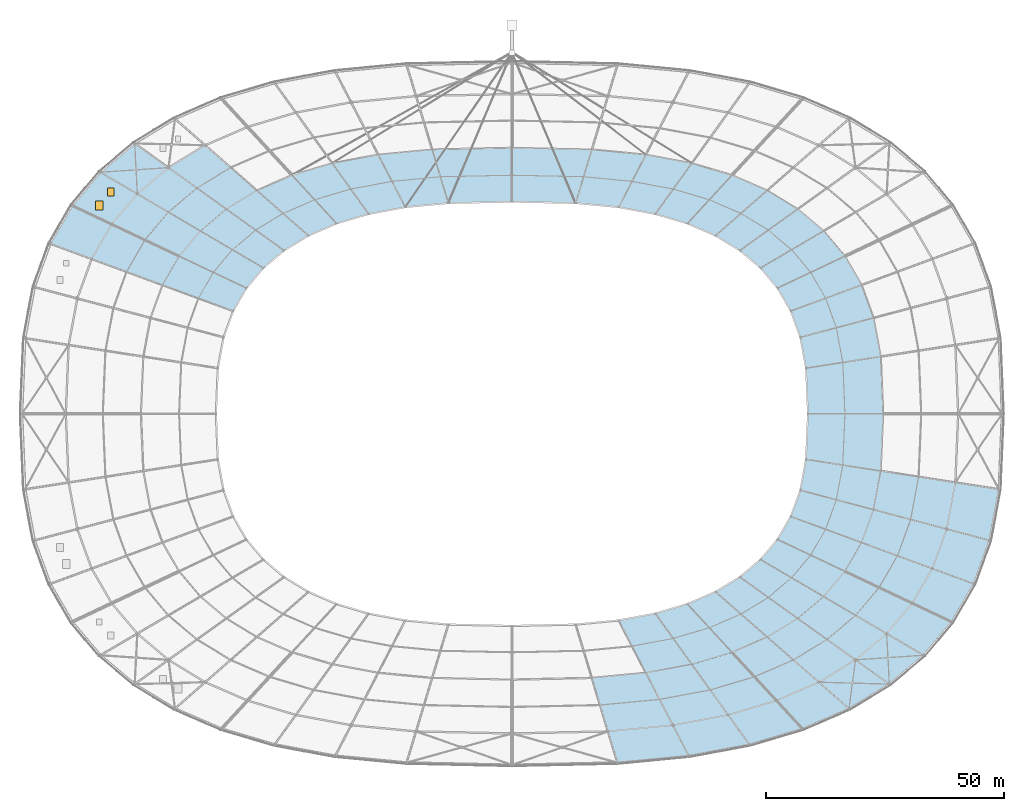
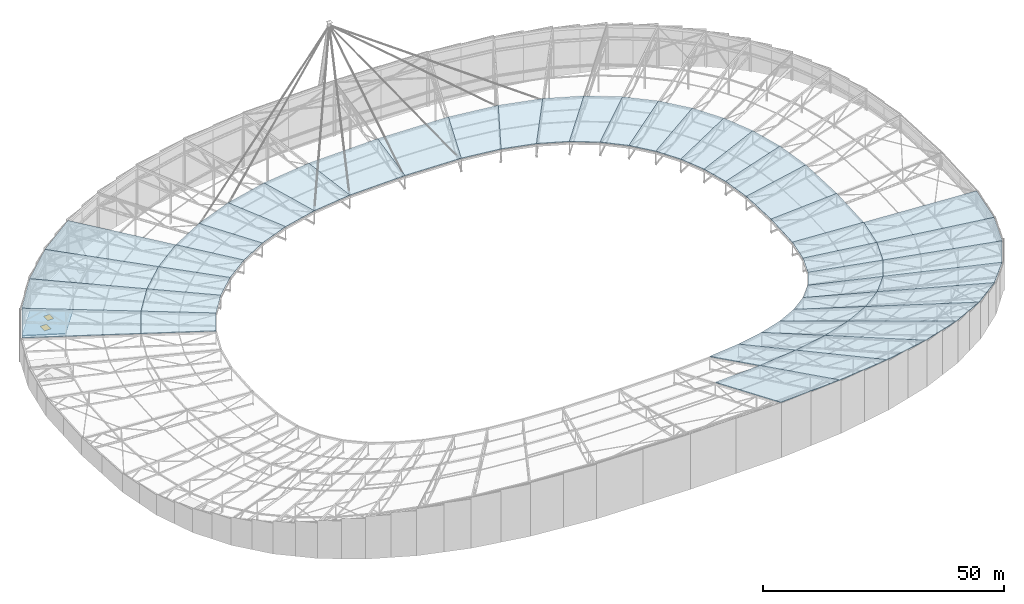
# One storey, part 105 of 143: 46 slabs, 2 windows, 2 openings, 1 element without a shape of its own.
"""IFC4 building model written with IfcOpenShell, lengths in metres."""

import ifcopenshell
import ifcopenshell.guid

model = None  # the IFC model being written
_history = None  # IfcOwnerHistory: only IFC2X3 demands one
_inside = {}  # id of a spatial element -> (the spatial element, [elements in it])
_under = {}  # id of a project, library or spatial element -> (it, [spatial elements below it])
_declared = {}  # id of a project -> (the project, [libraries it declares])
_typed = {}  # id of a type object -> (the type object, [elements of that type])
_made_of = {}  # id of a material, layer set ... -> (it, [elements and type objects made of it])


def new_model(schema):
    """Start an empty IFC model of exactly this schema.

    Asked for "IFC4X3", IfcOpenShell would pick the latest addendum, in which some entities
    have other attributes; the version numbers below select the first issue.
    IFC2X3 requires an IfcOwnerHistory on every rooted entity: one is made here for all.
    """
    global model, _history
    if schema == "IFC4X3":
        model = ifcopenshell.file(schema_version=(4, 3, 0, 0))
    else:
        model = ifcopenshell.file(schema=schema)
    _inside.clear()
    _under.clear()
    _declared.clear()
    _typed.clear()
    _made_of.clear()
    _history = None
    if model.schema == "IFC2X3":
        org = make("IfcOrganization", Name="unknown")
        user = make(
            "IfcPersonAndOrganization",
            ThePerson=make("IfcPerson", FamilyName="unknown"),
            TheOrganization=org,
        )
        app = make(
            "IfcApplication",
            ApplicationDeveloper=org,
            Version="unknown",
            ApplicationFullName="unknown",
            ApplicationIdentifier="unknown",
        )
        _history = make(
            "IfcOwnerHistory",
            OwningUser=user,
            OwningApplication=app,
            ChangeAction="ADDED",
            CreationDate=0,
        )
    return model


def make(cls, **values):
    """One entity of the class cls with the attributes given. An attribute that is None is left unset."""
    return model.create_entity(
        cls, **{name: value for name, value in values.items() if value is not None}
    )


def rooted(cls, **values):
    """An entity with a GlobalId (a new one), such as an element, a storey or a relation."""
    return make(cls, GlobalId=ifcopenshell.guid.new(), OwnerHistory=_history, **values)


def si_unit(unit_type, name, prefix=None):
    """IfcSIUnit, for example si_unit("LENGTHUNIT", "METRE", prefix="MILLI")."""
    return make("IfcSIUnit", UnitType=unit_type, Prefix=prefix, Name=name)


def assignment(units):
    """IfcUnitAssignment: the units of a project."""
    return None if units is None else make("IfcUnitAssignment", Units=units)


def point(xyz):
    """IfcCartesianPoint."""
    return None if xyz is None else make("IfcCartesianPoint", Coordinates=xyz)


def direction(xyz):
    """IfcDirection."""
    return None if xyz is None else make("IfcDirection", DirectionRatios=xyz)


def frame(location, z_axis=None, x_axis=None):
    """IfcAxis2Placement3D, a coordinate frame: its origin and axes. An axis left out is left unset."""
    return make(
        "IfcAxis2Placement3D",
        Location=point(location),
        Axis=direction(z_axis),
        RefDirection=direction(x_axis),
    )


def frame_2d(location, x_axis=None):
    """IfcAxis2Placement2D, a coordinate frame in the plane: its origin and x axis."""
    return make(
        "IfcAxis2Placement2D", Location=point(location), RefDirection=direction(x_axis)
    )


def origin():
    """The frame at (0, 0, 0) with its axes left unset."""
    return frame((0.0, 0.0, 0.0))


def origin_2d():
    """The frame at (0, 0) in the plane with its x axis left unset."""
    return frame_2d((0.0, 0.0))


def place(relative_to, where):
    """IfcLocalPlacement: puts the frame where relative to a parent placement (None: the world)."""
    return make(
        "IfcLocalPlacement", PlacementRelTo=relative_to, RelativePlacement=where
    )


def context(
    kind, dimensions, precision=None, world=None, true_north=None, identifier=None
):
    """IfcGeometricRepresentationContext, for example the 3D "Model" context."""
    return make(
        "IfcGeometricRepresentationContext",
        ContextIdentifier=identifier,
        ContextType=kind,
        CoordinateSpaceDimension=dimensions,
        Precision=precision,
        WorldCoordinateSystem=world,
        TrueNorth=true_north,
    )


def subcontext(parent, identifier, kind, view, scale=None):
    """IfcGeometricRepresentationSubContext, for example "Body" below "Model"."""
    return make(
        "IfcGeometricRepresentationSubContext",
        ContextIdentifier=identifier,
        ContextType=kind,
        ParentContext=parent,
        TargetScale=scale,
        TargetView=view,
    )


def project(units=None, contexts=None):
    """IfcProject with its units and contexts."""
    return rooted(
        "IfcProject",
        Name="project",
        RepresentationContexts=contexts,
        UnitsInContext=assignment(units),
    )


def spatial(cls, under=None, at=None, **own):
    """A site, building, storey or space (cls), placed at a placement, below another one or the project."""
    s = rooted(cls, ObjectPlacement=at, **own)
    if under is not None:
        _under.setdefault(under.id(), (under, []))[1].append(s)
    return s


def polyline(points):
    """IfcPolyline through the points."""
    return make("IfcPolyline", Points=[point(p) for p in points])


def profile(cls, at=None, kind="AREA", **sizes):
    """A parametric profile (cls). Its sizes go by their IFC names, for example OverallWidth=200.0."""
    return make(cls, ProfileType=kind, Position=at, **sizes)


def rectangle(**sizes):
    """IfcRectangleProfileDef."""
    return profile("IfcRectangleProfileDef", **sizes)


def outline(outer, holes=None, kind="AREA"):
    """IfcArbitraryClosedProfileDef: a profile drawn as a closed curve; with holes, ...WithVoids."""
    if holes is None:
        return make("IfcArbitraryClosedProfileDef", ProfileType=kind, OuterCurve=outer)
    return make(
        "IfcArbitraryProfileDefWithVoids",
        ProfileType=kind,
        OuterCurve=outer,
        InnerCurves=holes,
    )


def extrude(swept, where, along, depth):
    """IfcExtrudedAreaSolid: the profile swept, set in the frame where, extruded along a direction by depth."""
    return make(
        "IfcExtrudedAreaSolid",
        SweptArea=swept,
        Position=where,
        ExtrudedDirection=direction(along),
        Depth=depth,
    )


def shape(context_of_items, identifier, shape_type, items):
    """IfcShapeRepresentation: the items that make up one representation, for example the "Body"."""
    return make(
        "IfcShapeRepresentation",
        ContextOfItems=context_of_items,
        RepresentationIdentifier=identifier,
        RepresentationType=shape_type,
        Items=items,
    )


def material(Name=None, Category=None):
    """IfcMaterial."""
    return make("IfcMaterial", Name=Name, Category=Category)


def layer(
    of_material, thickness, ventilated=None, Name=None, Category=None, Priority=None
):
    """IfcMaterialLayer: one layer of a wall or slab, of a material (None: an air gap)."""
    return make(
        "IfcMaterialLayer",
        Material=of_material,
        LayerThickness=thickness,
        IsVentilated=ventilated,
        Name=Name,
        Category=Category,
        Priority=Priority,
    )


def layer_set(layers, Name=None):
    """IfcMaterialLayerSet."""
    return make("IfcMaterialLayerSet", MaterialLayers=layers, LayerSetName=Name)


def made_of(thing, what):
    """Note that an element or type object is made of a material, layer set ...; save() writes the relation."""
    if what is not None:
        _made_of.setdefault(what.id(), (what, []))[1].append(thing)
    return thing


def type_object(cls, material=None, **own):
    """A type object (cls), such as IfcWallType, which elements share."""
    return made_of(rooted(cls, **own), material)


def element(
    cls,
    number,
    at=None,
    inside=None,
    cuts=None,
    type_object=None,
    material=None,
    context=None,
    identifier="Body",
    shape_type=None,
    held_by="IfcProductDefinitionShape",
    body=None,
    shapes=None,
    **own,
):
    """One element of the class cls, such as IfcWall. Its Tag is "e" and its number.

    at: its placement. inside: the storey or other place that contains it. cuts: it is an
    opening in that element (IfcRelVoidsElement). A single representation is given by context,
    identifier, shape_type and body (its items); several are given by shapes. held_by: the class
    of the entity that holds the representations. save() writes the other relations.
    """
    e = rooted(cls, Tag="e%d" % number, ObjectPlacement=at, **own)
    if body is not None:
        shapes = [shape(context, identifier, shape_type, body)]
    if shapes is not None:
        e.Representation = make(held_by, Representations=shapes)
    if inside is not None:
        _inside.setdefault(inside.id(), (inside, []))[1].append(e)
    if cuts is not None:
        rooted(
            "IfcRelVoidsElement", RelatingBuildingElement=cuts, RelatedOpeningElement=e
        )
    if type_object is not None:
        _typed.setdefault(type_object.id(), (type_object, []))[1].append(e)
    return made_of(e, material)


def fill(opening, filler):
    """IfcRelFillsElement: the door or window that sits in an opening."""
    return rooted(
        "IfcRelFillsElement",
        RelatingOpeningElement=opening,
        RelatedBuildingElement=filler,
    )


def aggregate(whole, parts):
    """IfcRelAggregates: a whole, such as a stair, and the parts it consists of."""
    return rooted("IfcRelAggregates", RelatingObject=whole, RelatedObjects=parts)


def save(model, path):
    """Write the relations noted so far, then the file.

    IfcRelAggregates (storeys below a building ...), IfcRelContainedInSpatialStructure (elements
    in a storey), IfcRelDefinesByType, IfcRelAssociatesMaterial and IfcRelDeclares: one each for
    every whole, place, type object, material and project.
    """
    for whole, parts in _under.values():
        aggregate(whole, parts)
    for where, things in _inside.values():
        rooted(
            "IfcRelContainedInSpatialStructure",
            RelatedElements=things,
            RelatingStructure=where,
        )
    for kind, things in _typed.values():
        rooted("IfcRelDefinesByType", RelatedObjects=things, RelatingType=kind)
    for what, things in _made_of.values():
        rooted("IfcRelAssociatesMaterial", RelatedObjects=things, RelatingMaterial=what)
    for by, libraries in _declared.values():
        rooted("IfcRelDeclares", RelatingContext=by, RelatedDefinitions=libraries)
    model.write(path)


model = new_model("IFC4")

# Units and contexts
model_context = context("Model", 3, precision=1e-05, world=origin(), true_north=direction((0.0, 1.0)))
body_context = subcontext(model_context, "Body", "Model", "MODEL_VIEW")
ifc_project = project(units=[si_unit("LENGTHUNIT", "METRE"), si_unit("AREAUNIT", "SQUARE_METRE"), si_unit("VOLUMEUNIT", "CUBIC_METRE"), si_unit("PLANEANGLEUNIT", "RADIAN"), si_unit("MASSUNIT", "GRAM", prefix="KILO")], contexts=[model_context])

# Site, building, storey
site_placement = place(None, origin())
site = spatial("IfcSite", under=ifc_project, at=site_placement, CompositionType="ELEMENT")
building_placement = place(site_placement, origin())
building = spatial("IfcBuilding", under=site, at=building_placement, Name="Mphavela Belvedere Stadium", CompositionType="ELEMENT")
storey_placement = place(building_placement, frame((0.0, 0.0, 28.800048828125)))
storey = spatial("IfcBuildingStorey", under=building, at=storey_placement, Name="RF", CompositionType="ELEMENT", Elevation=28.800048828125)

# Roof, slabs, openings, windows
ifc_material_1 = material(Name="Translucent polycarbonate roof glazing", Category="glass")
roof_type = type_object("IfcRoofType", Name="ROOF-SADDLE-ASSY", PredefinedType="FREEFORM", material=ifc_material_1)
roof_placement = place(storey_placement, origin())
roof = element("IfcRoof", 1, at=roof_placement, inside=storey, type_object=roof_type, Name="Elliptical translucent saddle ring roof", PredefinedType="FREEFORM")
ifc_material_2 = material(Name="Translucent polycarbonate roof glazing over Steel S355 purlins", Category="steel")
ifc_layer_1 = layer(ifc_material_2, 0.179931640625)
ifc_layer_set_1 = layer_set([ifc_layer_1], Name="Translucent polycarbonate roof glazing over Steel S355 purlins")
slab_type_1 = type_object("IfcSlabType", Name="SLB-ROOF-POLY-180", PredefinedType="ROOF", material=ifc_layer_set_1)
slab_1_placement = place(storey_placement, frame((177.080078125, 87.0, 1.953857421875), z_axis=(-0.062764675151, -0.012937676198, 0.99794449349), x_axis=(-0.041914048171, 0.999067960965, 0.010316100974)))
slab_1 = element("IfcSlab", 2, at=slab_1_placement, type_object=slab_type_1, Name="Translucent saddle canopy panel 01-1", PredefinedType="ROOF", context=body_context, shape_type="SweptSolid", body=[
    extrude(outline(polyline([(0.0, 0.0), (9.575820760366003, 1.474514954580286e-17), (11.35659579406616, -15.78028620100424), (-0.6504401870094857, -15.780202079578732), (0.0, 0.0)])), origin(), (0.0, 0.0, -1.0), 0.179931640625),
])
slab_2_placement = place(storey_placement, frame((176.6787109375, 96.56689453125, 2.052734375), z_axis=(-0.056160153511, -0.055037355371, 0.996903669705), x_axis=(-0.182445224268, 0.982233264484, 0.04394945145)))
slab_2 = element("IfcSlab", 3, at=slab_2_placement, type_object=slab_type_1, Name="Translucent saddle canopy panel 02-1", PredefinedType="ROOF", context=body_context, shape_type="SweptSolid", body=[
    extrude(outline(polyline([(0.0, 0.0), (6.587747150970945, -2.2898349882893854e-16), (7.8340280048033035, -15.874769645101628), (-0.4267409768472721, -15.874712106141374), (0.0, 0.0)])), origin(), (0.0, 0.0, -1.0), 0.179931640625),
])
slab_3_placement = place(storey_placement, frame((175.476806640625, 103.03759765625, 2.34228515625), z_axis=(-0.044251671248, -0.099185327266, 0.994084533854), x_axis=(-0.340014874302, 0.937148983878, 0.078368790151)))
slab_3 = element("IfcSlab", 4, at=slab_3_placement, type_object=slab_type_1, Name="Translucent saddle canopy panel 03-1", PredefinedType="ROOF", context=body_context, shape_type="SweptSolid", body=[
    extrude(outline(polyline([(0.0, 0.0), (5.875635604742094, -4.163336342344337e-17), (6.047943325037904, -15.868980489131248), (-1.3193584481840013, -15.868863240229345), (0.0, 0.0)])), origin(), (0.0, 0.0, -1.0), 0.179931640625),
])
slab_4_placement = place(storey_placement, frame((173.47900390625, 108.5439453125, 2.802734375), z_axis=(-0.028856356997, -0.140011464477, 0.989729306667), x_axis=(-0.497643603936, 0.860725094897, 0.107252759761)))
slab_4 = element("IfcSlab", 5, at=slab_4_placement, type_object=slab_type_1, Name="Translucent saddle canopy panel 04-1", PredefinedType="ROOF", context=body_context, shape_type="SweptSolid", body=[
    extrude(outline(polyline([(0.0, 0.0), (5.597177419716359, -3.191891195797325e-16), (4.466977256564428, -15.663177329598065), (-2.5514232128908825, -15.66347570953079), (0.0, 0.0)])), origin(), (0.0, 0.0, -1.0), 0.179931640625),
])
slab_5_placement = place(storey_placement, frame((170.693603515625, 113.361572265625, 3.403076171875), z_axis=(-0.01248372931, -0.173586581679, 0.984739485937), x_axis=(-0.640050593365, 0.758012862614, 0.125505928322)))
slab_5 = element("IfcSlab", 6, at=slab_5_placement, type_object=slab_type_1, Name="Translucent saddle canopy panel 05-1", PredefinedType="ROOF", context=body_context, shape_type="SweptSolid", body=[
    extrude(outline(polyline([(0.0, 0.0), (5.5693995622166765, -4.579669976578771e-16), (3.176877248511535, -15.235333381364018), (-3.806640203589297, -15.235549442936666), (0.0, 0.0)])), origin(), (0.0, 0.0, -1.0), 0.179931640625),
])
slab_6_placement = place(storey_placement, frame((167.12890625, 117.583251953125, 4.10205078125), z_axis=(0.002394607997, -0.198045350783, 0.980189933067), x_axis=(-0.757688922825, 0.639327555468, 0.131025848775)))
slab_6 = element("IfcSlab", 7, at=slab_6_placement, type_object=slab_type_1, Name="Translucent saddle canopy panel 06-1", PredefinedType="ROOF", context=body_context, shape_type="SweptSolid", body=[
    extrude(outline(polyline([(0.0, 0.0), (5.723871621439102, -4.163336342344337e-17), (2.3144670479512737, -14.635809658616868), (-4.862661291927836, -14.635370559796606), (0.0, 0.0)])), origin(), (0.0, 0.0, -1.0), 0.179931640625),
])
slab_7_placement = place(storey_placement, frame((162.7919921875, 121.24267578125, 4.85205078125), z_axis=(0.013740312846, -0.213238533202, 0.976903542711), x_axis=(-0.84766135319, 0.515724040128, 0.124494757892)))
slab_7 = element("IfcSlab", 8, at=slab_7_placement, type_object=slab_type_1, Name="Translucent saddle canopy panel 07-1", PredefinedType="ROOF", context=body_context, shape_type="SweptSolid", body=[
    extrude(outline(polyline([(0.0, 0.0), (6.025307370049517, 5.273559366969494e-16), (1.9680095544132774, -13.950294664328501), (-5.587159116346965, -13.950434290851417), (0.0, 0.0)])), origin(), (0.0, 0.0, -1.0), 0.179931640625),
])
slab_8_placement = place(storey_placement, frame((157.6845703125, 124.35009765625, 5.60205078125), z_axis=(0.020196931309, -0.220292333767, 0.975224780063), x_axis=(-0.912114152601, 0.39539762111, 0.108205793951)))
slab_8 = element("IfcSlab", 9, at=slab_8_placement, type_object=slab_type_1, Name="Translucent saddle canopy panel 08-1", PredefinedType="ROOF", context=body_context, shape_type="SweptSolid", body=[
    extrude(outline(polyline([(0.0, 0.0), (6.459815932377828, -3.0531133177191805e-16), (2.171849004796829, -13.263729987729116), (-5.928171327242288, -13.263829443862422), (0.0, 0.0)])), origin(), (0.0, 0.0, -1.0), 0.179931640625),
])
slab_9_placement = place(storey_placement, frame((151.79248046875, 126.904296875, 6.301025390625), z_axis=(0.021347652741, -0.221285385069, 0.974975413063), x_axis=(-0.955175991041, 0.283495912076, 0.085257808883)))
slab_9 = element("IfcSlab", 10, at=slab_9_placement, type_object=slab_type_1, Name="Translucent saddle canopy panel 09-1", PredefinedType="ROOF", context=body_context, shape_type="SweptSolid", body=[
    extrude(outline(polyline([(0.0, 0.0), (7.0394156510267685, -1.8041124150158794e-16), (2.9547943315536935, -12.642734798207673), (-5.87209259136367, -12.64245712372692), (0.0, 0.0)])), origin(), (0.0, 0.0, -1.0), 0.179931640625),
])
slab_10_placement = place(storey_placement, frame((145.068603515625, 128.89990234375, 6.9013671875), z_axis=(0.017716384697, -0.218808731373, 0.975606923299), x_axis=(-0.981391537632, 0.182787366369, 0.058816907092)))
slab_10 = element("IfcSlab", 11, at=slab_10_placement, type_object=slab_type_1, Name="Translucent saddle canopy panel 10-1", PredefinedType="ROOF", context=body_context, shape_type="SweptSolid", body=[
    extrude(outline(polyline([(0.0, 0.0), (7.830774862642115, -1.1102230246251565e-16), (4.403319004744994, -12.132280217011811), (-5.415615253726579, -12.132352860810734), (0.0, 0.0)])), origin(), (0.0, 0.0, -1.0), 0.179931640625),
])
slab_11_placement = place(storey_placement, frame((137.383544921875, 130.331298828125, 7.36181640625), z_axis=(0.010765096078, -0.21541214484, 0.976463885949), x_axis=(-0.994978821877, 0.094866801566, 0.031897240912)))
slab_11 = element("IfcSlab", 12, at=slab_11_placement, type_object=slab_type_1, Name="Translucent saddle canopy panel 11-1", PredefinedType="ROOF", context=body_context, shape_type="SweptSolid", body=[
    extrude(outline(polyline([(0.0, 0.0), (9.076826639575708, 7.632783294297951e-17), (6.845972878327858, -11.763067748871228), (-4.535648145428523, -11.762974659526115), (0.0, 0.0)])), origin(), (0.0, 0.0, -1.0), 0.179931640625),
])
slab_12_placement = place(storey_placement, frame((128.352294921875, 131.1923828125, 7.6513671875), z_axis=(0.002641050569, -0.213073375177, 0.977032630797), x_axis=(-0.999740726045, 0.021534605529, 0.007398746643)))
slab_12 = element("IfcSlab", 13, at=slab_12_placement, type_object=slab_type_1, Name="Translucent saddle canopy panel 12-1", PredefinedType="ROOF", context=body_context, shape_type="SweptSolid", body=[
    extrude(outline(polyline([(0.0, 0.0), (13.35575788716462, 6.591949208711867e-17), (13.617185590609553, -11.556174624082413), (-3.1295810139537408, -11.55647844468452), (0.0, 0.0)])), origin(), (0.0, 0.0, -1.0), 0.179931640625),
])
slab_13_placement = place(storey_placement, frame((115.0, 131.47998046875, 7.750244140625), z_axis=(-0.002641050569, -0.213073375177, 0.977032630797), x_axis=(-0.999740726045, -0.021534605529, -0.007398746643)))
slab_13 = element("IfcSlab", 14, at=slab_13_placement, type_object=slab_type_1, Name="Translucent saddle canopy panel 13-1", PredefinedType="ROOF", context=body_context, shape_type="SweptSolid", body=[
    extrude(outline(polyline([(0.0, 0.0), (13.35575788716462, -6.591949208711867e-17), (16.48533890111836, -11.55647844468452), (-0.26142770344493577, -11.556174624082415), (0.0, 0.0)])), origin(), (0.0, 0.0, -1.0), 0.179931640625),
])
slab_14_placement = place(storey_placement, frame((101.647705078125, 131.1923828125, 7.6513671875), z_axis=(-0.010765096078, -0.21541214484, 0.976463885949), x_axis=(-0.994978821877, -0.094866801566, -0.031897240912)))
slab_14 = element("IfcSlab", 15, at=slab_14_placement, type_object=slab_type_1, Name="Translucent saddle canopy panel 14-1", PredefinedType="ROOF", context=body_context, shape_type="SweptSolid", body=[
    extrude(outline(polyline([(0.0, 0.0), (9.076826639575708, -7.632783294297951e-17), (13.61247478500423, -11.762974659526117), (2.230853761247848, -11.763067748871228), (0.0, 0.0)])), origin(), (0.0, 0.0, -1.0), 0.179931640625),
])
slab_15_placement = place(storey_placement, frame((92.616455078125, 130.331298828125, 7.36181640625), z_axis=(-0.017716384697, -0.218808731373, 0.975606923299), x_axis=(-0.981391537632, -0.182787366369, -0.058816907092)))
slab_15 = element("IfcSlab", 16, at=slab_15_placement, type_object=slab_type_1, Name="Translucent saddle canopy panel 15-1", PredefinedType="ROOF", context=body_context, shape_type="SweptSolid", body=[
    extrude(outline(polyline([(0.0, 0.0), (7.830774862642115, 1.1102230246251565e-16), (13.246390116368696, -12.132352860810734), (3.4274558578971215, -12.132280217011813), (0.0, 0.0)])), origin(), (0.0, 0.0, -1.0), 0.179931640625),
])
slab_16_placement = place(storey_placement, frame((84.931396484375, 128.89990234375, 6.9013671875), z_axis=(-0.021347652741, -0.221285385069, 0.974975413063), x_axis=(-0.955175991041, -0.283495912076, -0.085257808883)))
slab_16 = element("IfcSlab", 17, at=slab_16_placement, type_object=slab_type_1, Name="Translucent saddle canopy panel 16-1", PredefinedType="ROOF", context=body_context, shape_type="SweptSolid", body=[
    extrude(outline(polyline([(0.0, 0.0), (7.0394156510267685, 1.8041124150158794e-16), (12.91150824239044, -12.64245712372692), (4.084621319473074, -12.642734798207675), (0.0, 0.0)])), origin(), (0.0, 0.0, -1.0), 0.179931640625),
])
slab_17_placement = place(storey_placement, frame((78.20751953125, 126.904296875, 6.301025390625), z_axis=(-0.020196931309, -0.220292333767, 0.975224780063), x_axis=(-0.912114152601, -0.39539762111, -0.108205793951)))
slab_17 = element("IfcSlab", 18, at=slab_17_placement, type_object=slab_type_1, Name="Translucent saddle canopy panel 17-1", PredefinedType="ROOF", context=body_context, shape_type="SweptSolid", body=[
    extrude(outline(polyline([(0.0, 0.0), (6.459815932377828, 3.0531133177191805e-16), (12.387987259620118, -13.26382944386242), (4.287966927581, -13.263729987729118), (0.0, 0.0)])), origin(), (0.0, 0.0, -1.0), 0.179931640625),
])
slab_18_placement = place(storey_placement, frame((72.3154296875, 124.35009765625, 5.60205078125), z_axis=(-0.013740312846, -0.213238533202, 0.976903542711), x_axis=(-0.84766135319, -0.515724040128, -0.124494757892)))
slab_18 = element("IfcSlab", 19, at=slab_18_placement, type_object=slab_type_1, Name="Translucent saddle canopy panel 18-1", PredefinedType="ROOF", context=body_context, shape_type="SweptSolid", body=[
    extrude(outline(polyline([(0.0, 0.0), (6.025307370049517, -5.273559366969494e-16), (11.612466486396483, -13.950434290851417), (4.0572978156362405, -13.950294664328503), (0.0, 0.0)])), origin(), (0.0, 0.0, -1.0), 0.179931640625),
])
slab_19_placement = place(storey_placement, frame((61.4775390625, 133.83349609375, 7.519775390625), z_axis=(-0.013750776942, -0.213248287485, 0.976901266259), x_axis=(-0.847670959605, -0.51570568008, -0.1245054046)))
slab_19 = element("IfcSlab", 20, at=slab_19_placement, type_object=slab_type_1, Name="Translucent saddle canopy panel 18-2", PredefinedType="ROOF", context=body_context, shape_type="SweptSolid", body=[
    extrude(outline(polyline([(0.0, 0.0), (7.555168673020906, 3.608224830031759e-16), (16.409027053297674, -22.105649928312097), (6.429749925907818, -22.105489857060974), (0.0, 0.0)])), origin(), (0.0, 0.0, -1.0), 0.179931640625),
])
slab_20_placement = place(storey_placement, frame((67.2080078125, 121.24267578125, 4.85205078125), z_axis=(-0.002394607997, -0.198045350783, 0.980189933067), x_axis=(-0.757688922825, -0.639327555468, -0.131025848775)))
slab_20 = element("IfcSlab", 21, at=slab_20_placement, type_object=slab_type_1, Name="Translucent saddle canopy panel 19-1", PredefinedType="ROOF", context=body_context, shape_type="SweptSolid", body=[
    extrude(outline(polyline([(0.0, 0.0), (5.723871621439102, 4.163336342344337e-17), (10.586532913366938, -14.635370559796606), (3.4094045734878287, -14.63580965861687), (0.0, 0.0)])), origin(), (0.0, 0.0, -1.0), 0.179931640625),
])
slab_21_placement = place(storey_placement, frame((55.0732421875, 129.937255859375, 6.5791015625), z_axis=(-0.002392054769, -0.198047747663, 0.980189455013), x_axis=(-0.757648995264, -0.639373077979, -0.131034602797)))
slab_21 = element("IfcSlab", 22, at=slab_21_placement, type_object=slab_type_1, Name="Translucent saddle canopy panel 19-2", PredefinedType="ROOF", context=body_context, shape_type="SweptSolid", body=[
    extrude(outline(polyline([(0.0, 0.0), (7.177128353319401, 1.1657341758564144e-15), (14.88129010369906, -23.192590789533337), (5.401170186067652, -23.192195402589856), (0.0, 0.0)])), origin(), (0.0, 0.0, -1.0), 0.179931640625),
])
slab_22_placement = place(storey_placement, frame((62.87109375, 117.583251953125, 4.10205078125), z_axis=(0.01248372931, -0.173586581679, 0.984739485937), x_axis=(-0.640050593365, -0.758012862614, -0.125505928322)))
slab_22 = element("IfcSlab", 23, at=slab_22_placement, type_object=slab_type_1, Name="Translucent saddle canopy panel 20-1", PredefinedType="ROOF", context=body_context, shape_type="SweptSolid", body=[
    extrude(outline(polyline([(0.0, 0.0), (5.5693995622166765, 4.579669976578771e-16), (9.376039765805974, -15.235549442936666), (2.392522313705142, -15.23533338136402), (0.0, 0.0)])), origin(), (0.0, 0.0, -1.0), 0.179931640625),
])
slab_23_placement = place(storey_placement, frame((49.635498046875, 125.348388671875, 5.638671875), z_axis=(0.012483112725, -0.173591051891, 0.984738705749), x_axis=(-0.640074409653, -0.757992736839, -0.125506019804)))
slab_23 = element("IfcSlab", 24, at=slab_23_placement, type_object=slab_type_1, Name="Translucent saddle canopy panel 20-2", PredefinedType="ROOF", context=body_context, shape_type="SweptSolid", body=[
    extrude(outline(polyline([(0.0, 0.0), (6.98351745546173, -1.0269562977782698e-15), (13.016169062510098, -24.142586709938037), (3.7919935290934816, -24.142724802360682), (0.0, 0.0)])), origin(), (0.0, 0.0, -1.0), 0.179931640625),
])
slab_24_placement = place(storey_placement, frame((59.306396484375, 113.361572265625, 3.403076171875), z_axis=(0.028856356997, -0.140011464477, 0.989729306667), x_axis=(-0.497643603936, -0.860725094897, -0.107252759761)))
slab_24 = element("IfcSlab", 25, at=slab_24_placement, type_object=slab_type_1, Name="Translucent saddle canopy panel 21-1", PredefinedType="ROOF", context=body_context, shape_type="SweptSolid", body=[
    extrude(outline(polyline([(0.0, 0.0), (5.597177419716359, 3.191891195797325e-16), (8.148600632607241, -15.663475709530788), (1.1302001631519305, -15.663177329598065), (0.0, 0.0)])), origin(), (0.0, 0.0, -1.0), 0.179931640625),
])
slab_25_placement = place(storey_placement, frame((45.16552734375, 120.054931640625, 4.76220703125), z_axis=(0.028862152723, -0.140004301385, 0.989730150967), x_axis=(-0.49768019511, -0.860705565907, -0.107239695134)))
slab_25 = element("IfcSlab", 26, at=slab_25_placement, type_object=slab_type_1, Name="Translucent saddle canopy panel 21-2", PredefinedType="ROOF", context=body_context, shape_type="SweptSolid", body=[
    extrude(outline(polyline([(0.0, 0.0), (7.018400475773272, -3.0531133177191805e-16), (11.062363237996466, -24.820278195535746), (1.7917869742502843, -24.820291656156545), (0.0, 0.0)])), origin(), (0.0, 0.0, -1.0), 0.179931640625),
])
slab_26_placement = place(storey_placement, frame((131.742431640625, 31.586669921875, 10.08935546875), z_axis=(0.010760990642, 0.215402374624, 0.976466086501), x_axis=(0.994978062697, 0.094875845376, -0.031894023194)))
slab_26 = element("IfcSlab", 27, at=slab_26_placement, type_object=slab_type_1, Name="Translucent saddle canopy panel 38-2", PredefinedType="ROOF", context=body_context, shape_type="SweptSolid", body=[
    extrude(outline(polyline([(0.0, 0.0), (11.381621024120491, -2.7755575615628914e-17), (18.568709855756293, -18.63938941384328), (3.534942680590222, -18.639559564023244), (0.0, 0.0)])), origin(), (0.0, 0.0, -1.0), 0.179931640625),
])
slab_27_placement = place(storey_placement, frame((137.383544921875, 43.668701171875, 7.36181640625), z_axis=(0.017716384697, 0.218808731373, 0.975606923299), x_axis=(0.981391537632, 0.182787366369, -0.058816907092)))
slab_27 = element("IfcSlab", 28, at=slab_27_placement, type_object=slab_type_1, Name="Translucent saddle canopy panel 39-1", PredefinedType="ROOF", context=body_context, shape_type="SweptSolid", body=[
    extrude(outline(polyline([(0.0, 0.0), (7.830774862642115, 1.1102230246251565e-16), (13.246390116368696, -12.132352860810734), (3.4274558578971215, -12.132280217011813), (0.0, 0.0)])), origin(), (0.0, 0.0, -1.0), 0.179931640625),
])
slab_28_placement = place(storey_placement, frame((143.06689453125, 32.66650390625, 9.726318359375), z_axis=(0.017728133813, 0.218818356617, 0.975604551075), x_axis=(0.981392714147, 0.18277733663, -0.058828444091)))
slab_28 = element("IfcSlab", 29, at=slab_28_placement, type_object=slab_type_1, Name="Translucent saddle canopy panel 39-2", PredefinedType="ROOF", context=body_context, shape_type="SweptSolid", body=[
    extrude(outline(polyline([(0.0, 0.0), (9.81893425968205, 2.498001805406602e-16), (18.40117209444884, -19.224733323874474), (5.431368726802666, -19.224497843877355), (0.0, 0.0)])), origin(), (0.0, 0.0, -1.0), 0.179931640625),
])
slab_29_placement = place(storey_placement, frame((145.068603515625, 45.10009765625, 6.9013671875), z_axis=(0.021347652741, 0.221285385069, 0.974975413063), x_axis=(0.955175991041, 0.283495912076, -0.085257808883)))
slab_29 = element("IfcSlab", 30, at=slab_29_placement, type_object=slab_type_1, Name="Translucent saddle canopy panel 40-1", PredefinedType="ROOF", context=body_context, shape_type="SweptSolid", body=[
    extrude(outline(polyline([(0.0, 0.0), (7.0394156510267685, 1.8041124150158794e-16), (12.91150824239044, -12.64245712372692), (4.084621319473074, -12.642734798207675), (0.0, 0.0)])), origin(), (0.0, 0.0, -1.0), 0.179931640625),
])
slab_30_placement = place(storey_placement, frame((152.703125, 34.461181640625, 9.148681640625), z_axis=(0.021332302102, 0.221271990629, 0.974978789026), x_axis=(0.955167102142, 0.283529413605, -0.085245988801)))
slab_30 = element("IfcSlab", 31, at=slab_30_placement, type_object=slab_type_1, Name="Translucent saddle canopy panel 40-2", PredefinedType="ROOF", context=body_context, shape_type="SweptSolid", body=[
    extrude(outline(polyline([(0.0, 0.0), (8.826886929130305, 1.1102230246251565e-16), (18.131321943310617, -20.033791260952036), (6.472382275898273, -20.033807558749324), (0.0, 0.0)])), origin(), (0.0, 0.0, -1.0), 0.179931640625),
])
slab_31_placement = place(storey_placement, frame((151.79248046875, 47.095703125, 6.301025390625), z_axis=(0.020196931309, 0.220292333767, 0.975224780063), x_axis=(0.912114152601, 0.39539762111, -0.108205793951)))
slab_31 = element("IfcSlab", 32, at=slab_31_placement, type_object=slab_type_1, Name="Translucent saddle canopy panel 41-1", PredefinedType="ROOF", context=body_context, shape_type="SweptSolid", body=[
    extrude(outline(polyline([(0.0, 0.0), (6.459815932377828, 3.0531133177191805e-16), (12.387987259620118, -13.26382944386242), (4.287966927581, -13.263729987729118), (0.0, 0.0)])), origin(), (0.0, 0.0, -1.0), 0.179931640625),
])
slab_32_placement = place(storey_placement, frame((161.13427734375, 36.9638671875, 8.396240234375), z_axis=(0.020202543556, 0.220281385412, 0.975227136863), x_axis=(0.912119169022, 0.395386554404, -0.108203946782)))
slab_32 = element("IfcSlab", 33, at=slab_32_placement, type_object=slab_type_1, Name="Translucent saddle canopy panel 41-2", PredefinedType="ROOF", context=body_context, shape_type="SweptSolid", body=[
    extrude(outline(polyline([(0.0, 0.0), (8.100020332656722, 2.220446049250313e-16), (17.494202780749614, -21.017699732900855), (6.795084432483262, -21.017900246600583), (0.0, 0.0)])), origin(), (0.0, 0.0, -1.0), 0.179931640625),
])
slab_33_placement = place(storey_placement, frame((157.6845703125, 49.64990234375, 5.60205078125), z_axis=(0.013740312846, 0.213238533202, 0.976903542711), x_axis=(0.84766135319, 0.515724040128, -0.124494757892)))
slab_33 = element("IfcSlab", 34, at=slab_33_placement, type_object=slab_type_1, Name="Translucent saddle canopy panel 42-1", PredefinedType="ROOF", context=body_context, shape_type="SweptSolid", body=[
    extrude(outline(polyline([(0.0, 0.0), (6.025307370049517, -5.273559366969494e-16), (11.612466486396483, -13.950434290851417), (4.0572978156362405, -13.950294664328503), (0.0, 0.0)])), origin(), (0.0, 0.0, -1.0), 0.179931640625),
])
slab_34_placement = place(storey_placement, frame((168.5224609375, 40.16650390625, 7.519775390625), z_axis=(0.013750776942, 0.213248287485, 0.976901266259), x_axis=(0.847670959605, 0.51570568008, -0.1245054046)))
slab_34 = element("IfcSlab", 35, at=slab_34_placement, type_object=slab_type_1, Name="Translucent saddle canopy panel 42-2", PredefinedType="ROOF", context=body_context, shape_type="SweptSolid", body=[
    extrude(outline(polyline([(0.0, 0.0), (7.555168673020906, 3.608224830031759e-16), (16.409027053297674, -22.105649928312097), (6.429749925907818, -22.105489857060974), (0.0, 0.0)])), origin(), (0.0, 0.0, -1.0), 0.179931640625),
])
slab_35_placement = place(storey_placement, frame((162.7919921875, 52.75732421875, 4.85205078125), z_axis=(0.002394607997, 0.198045350783, 0.980189933067), x_axis=(0.757688922825, 0.639327555468, -0.131025848775)))
slab_35 = element("IfcSlab", 36, at=slab_35_placement, type_object=slab_type_1, Name="Translucent saddle canopy panel 43-1", PredefinedType="ROOF", context=body_context, shape_type="SweptSolid", body=[
    extrude(outline(polyline([(0.0, 0.0), (5.723871621439102, 4.163336342344337e-17), (10.586532913366938, -14.635370559796606), (3.4094045734878287, -14.63580965861687), (0.0, 0.0)])), origin(), (0.0, 0.0, -1.0), 0.179931640625),
])
slab_36_placement = place(storey_placement, frame((174.9267578125, 44.062744140625, 6.5791015625), z_axis=(0.002392054769, 0.198047747663, 0.980189455013), x_axis=(0.757648995264, 0.639373077979, -0.131034602797)))
slab_36 = element("IfcSlab", 37, at=slab_36_placement, type_object=slab_type_1, Name="Translucent saddle canopy panel 43-2", PredefinedType="ROOF", context=body_context, shape_type="SweptSolid", body=[
    extrude(outline(polyline([(0.0, 0.0), (7.177128353319401, 1.1657341758564144e-15), (14.88129010369906, -23.192590789533337), (5.401170186067652, -23.192195402589856), (0.0, 0.0)])), origin(), (0.0, 0.0, -1.0), 0.179931640625),
])
slab_37_placement = place(storey_placement, frame((167.12890625, 56.416748046875, 4.10205078125), z_axis=(-0.01248372931, 0.173586581679, 0.984739485937), x_axis=(0.640050593365, 0.758012862614, -0.125505928322)))
slab_37 = element("IfcSlab", 38, at=slab_37_placement, type_object=slab_type_1, Name="Translucent saddle canopy panel 44-1", PredefinedType="ROOF", context=body_context, shape_type="SweptSolid", body=[
    extrude(outline(polyline([(0.0, 0.0), (5.5693995622166765, 4.579669976578771e-16), (9.376039765805974, -15.235549442936666), (2.392522313705142, -15.23533338136402), (0.0, 0.0)])), origin(), (0.0, 0.0, -1.0), 0.179931640625),
])
slab_38_placement = place(storey_placement, frame((180.364501953125, 48.651611328125, 5.638671875), z_axis=(-0.012483112725, 0.173591051891, 0.984738705749), x_axis=(0.640074409653, 0.757992736839, -0.125506019804)))
slab_38 = element("IfcSlab", 39, at=slab_38_placement, type_object=slab_type_1, Name="Translucent saddle canopy panel 44-2", PredefinedType="ROOF", context=body_context, shape_type="SweptSolid", body=[
    extrude(outline(polyline([(0.0, 0.0), (6.98351745546173, -1.0269562977782698e-15), (13.016169062510098, -24.142586709938037), (3.7919935290934816, -24.142724802360682), (0.0, 0.0)])), origin(), (0.0, 0.0, -1.0), 0.179931640625),
])
slab_39_placement = place(storey_placement, frame((170.693603515625, 60.638427734375, 3.403076171875), z_axis=(-0.028856356997, 0.140011464477, 0.989729306667), x_axis=(0.497643603936, 0.860725094897, -0.107252759761)))
slab_39 = element("IfcSlab", 40, at=slab_39_placement, type_object=slab_type_1, Name="Translucent saddle canopy panel 45-1", PredefinedType="ROOF", context=body_context, shape_type="SweptSolid", body=[
    extrude(outline(polyline([(0.0, 0.0), (5.597177419716359, 3.191891195797325e-16), (8.148600632607241, -15.663475709530788), (1.1302001631519305, -15.663177329598065), (0.0, 0.0)])), origin(), (0.0, 0.0, -1.0), 0.179931640625),
])
slab_40_placement = place(storey_placement, frame((184.83447265625, 53.945068359375, 4.76220703125), z_axis=(-0.028862152723, 0.140004301385, 0.989730150967), x_axis=(0.49768019511, 0.860705565907, -0.107239695134)))
slab_40 = element("IfcSlab", 41, at=slab_40_placement, type_object=slab_type_1, Name="Translucent saddle canopy panel 45-2", PredefinedType="ROOF", context=body_context, shape_type="SweptSolid", body=[
    extrude(outline(polyline([(0.0, 0.0), (7.018400475773272, -3.0531133177191805e-16), (11.062363237996466, -24.820278195535746), (1.7917869742502843, -24.820291656156545), (0.0, 0.0)])), origin(), (0.0, 0.0, -1.0), 0.179931640625),
])
slab_41_placement = place(storey_placement, frame((173.47900390625, 65.4560546875, 2.802734375), z_axis=(-0.044251671248, 0.099185327266, 0.994084533854), x_axis=(0.340014874302, 0.937148983878, -0.078368790151)))
slab_41 = element("IfcSlab", 42, at=slab_41_placement, type_object=slab_type_1, Name="Translucent saddle canopy panel 46-1", PredefinedType="ROOF", context=body_context, shape_type="SweptSolid", body=[
    extrude(outline(polyline([(0.0, 0.0), (5.875635604742094, 4.163336342344337e-17), (7.194994052926095, -15.868863240229345), (-0.17230772029580965, -15.868980489131246), (0.0, 0.0)])), origin(), (0.0, 0.0, -1.0), 0.179931640625),
])
slab_42_placement = place(storey_placement, frame((188.327392578125, 59.98583984375, 4.009521484375), z_axis=(-0.044245308, 0.099200765104, 0.994083276654), x_axis=(0.340000664528, 0.937152648351, -0.078386617544)))
slab_42 = element("IfcSlab", 43, at=slab_42_placement, type_object=slab_type_1, Name="Translucent saddle canopy panel 46-2", PredefinedType="ROOF", context=body_context, shape_type="SweptSolid", body=[
    extrude(outline(polyline([(0.0, 0.0), (7.367301773413963, -2.220446049250313e-16), (9.457827454180883, -25.145729455522236), (-0.27353103311899707, -25.14607375496118), (0.0, 0.0)])), origin(), (0.0, 0.0, -1.0), 0.179931640625),
])
slab_43_placement = place(storey_placement, frame((175.476806640625, 70.96240234375, 2.34228515625), z_axis=(-0.056160153511, 0.055037355371, 0.996903669705), x_axis=(0.182445224268, 0.982233264484, -0.04394945145)))
slab_43 = element("IfcSlab", 44, at=slab_43_placement, type_object=slab_type_1, Name="Translucent saddle canopy panel 47-1", PredefinedType="ROOF", context=body_context, shape_type="SweptSolid", body=[
    extrude(outline(polyline([(0.0, 0.0), (6.587747150970945, 2.2898349882893854e-16), (7.014488127818217, -15.874712106141375), (-1.2462808538323569, -15.874769645101626), (0.0, 0.0)])), origin(), (0.0, 0.0, -1.0), 0.179931640625),
])
slab_44_placement = place(storey_placement, frame((190.832275390625, 66.89013671875, 3.43212890625), z_axis=(-0.056154244262, 0.055032730131, 0.996904257923), x_axis=(0.18243819098, 0.982234706245, -0.043946425573)))
slab_44 = element("IfcSlab", 45, at=slab_44_placement, type_object=slab_type_1, Name="Translucent saddle canopy panel 47-2", PredefinedType="ROOF", context=body_context, shape_type="SweptSolid", body=[
    extrude(outline(polyline([(0.0, 0.0), (8.260768981880847, -1.0408340855860843e-16), (8.936675182274932, -25.155397392929643), (-1.9747544067622829, -25.155086016875813), (0.0, 0.0)])), origin(), (0.0, 0.0, -1.0), 0.179931640625),
])
slab_45_placement = place(storey_placement, frame((176.6787109375, 77.43310546875, 2.052734375), z_axis=(-0.062764675151, 0.012937676198, 0.99794449349), x_axis=(0.041914048171, 0.999067960965, -0.010316100974)))
slab_45 = element("IfcSlab", 46, at=slab_45_placement, type_object=slab_type_1, Name="Translucent saddle canopy panel 48-1", PredefinedType="ROOF", context=body_context, shape_type="SweptSolid", body=[
    extrude(outline(polyline([(0.0, 0.0), (9.575820760366003, -1.474514954580286e-17), (10.22626094737549, -15.780202079578734), (-1.7807750337001569, -15.78028620100424), (0.0, 0.0)])), origin(), (0.0, 0.0, -1.0), 0.179931640625),
])
ifc_material_3 = material(Name="Standing-seam zinc insulated roof over Concrete C40/50", Category="concrete")
ifc_layer_2 = layer(ifc_material_3, 0.239990234375)
ifc_layer_set_2 = layer_set([ifc_layer_2], Name="Standing-seam zinc insulated roof over Concrete C40/50")
slab_type_2 = type_object("IfcSlabType", Name="SLB-ROOF-ZINC-240", PredefinedType="ROOF", material=ifc_layer_set_2)
slab_46_placement = place(storey_placement, frame((0.0, 0.0, -0.239990234375)))
slab_46 = element("IfcSlab", 47, at=slab_46_placement, type_object=slab_type_2, Name="Gondola core overrun roof slab 02", PredefinedType="ROOF", context=body_context, shape_type="SweptSolid", body=[
    extrude(outline(polyline([(36.399658203125, 133.11376953125), (31.0244140625, 126.748291015625), (22.757568359375, 130.66162109375), (28.66162109375, 137.653564453125), (36.399658203125, 133.11376953125)])), origin(), (0.0, 0.0, 1.0), 0.239990234375),
])
opening_1_placement = place(slab_46_placement, frame((30.826416015625, 133.515380859375, 0.0)))
opening_1 = element("IfcOpeningElement", 48, at=opening_1_placement, cuts=slab_46, Name="Opening RH-03", PredefinedType="OPENING", context=body_context, shape_type="SweptSolid", body=[
    extrude(rectangle(XDim=1.449951171875, YDim=1.699951171875, at=origin_2d()), origin(), (0.0, 0.0, 1.0), 0.239990234375),
])
opening_2_placement = place(slab_46_placement, frame((28.43896484375, 130.688720703125, 0.0)))
opening_2 = element("IfcOpeningElement", 49, at=opening_2_placement, cuts=slab_46, Name="Opening RH-04", PredefinedType="OPENING", context=body_context, shape_type="SweptSolid", body=[
    extrude(rectangle(XDim=1.60009765625, YDim=1.89990234375, at=origin_2d()), origin(), (0.0, 0.0, 1.0), 0.239990234375),
])
ifc_material_4 = material(Name="Insulated aluminium skylight roof access hatch", Category="aluminium")
window_type_1 = type_object("IfcWindowType", Name="WIN-HATCH-03", PartitioningType="SINGLE_PANEL", PredefinedType="SKYLIGHT", material=ifc_material_4)
window_1_placement = place(opening_1_placement, frame((0.0, 0.0, 0.18994140625)))
window_1 = element("IfcWindow", 50, at=window_1_placement, inside=storey, type_object=window_type_1, Name="Roof maintenance access skylight hatch RH-03", OverallHeight=1.699951171875, OverallWidth=1.449951171875, PartitioningType="SINGLE_PANEL", PredefinedType="SKYLIGHT", context=body_context, shape_type="SweptSolid", body=[
    extrude(rectangle(XDim=1.449951171875, YDim=1.699951171875, at=origin_2d()), origin(), (0.0, 0.0, 1.0), 0.050048828125),
])
fill(opening_1, window_1)
ifc_material_5 = material(Name="Insulated aluminium skylight roof access hatch", Category="aluminium")
window_type_2 = type_object("IfcWindowType", Name="WIN-HATCH-04", PartitioningType="SINGLE_PANEL", PredefinedType="SKYLIGHT", material=ifc_material_5)
window_2_placement = place(opening_2_placement, frame((0.0, 0.0, 0.18994140625)))
window_2 = element("IfcWindow", 51, at=window_2_placement, inside=storey, type_object=window_type_2, Name="Roof maintenance access skylight hatch RH-04", OverallHeight=1.89990234375, OverallWidth=1.60009765625, PartitioningType="SINGLE_PANEL", PredefinedType="SKYLIGHT", context=body_context, shape_type="SweptSolid", body=[
    extrude(rectangle(XDim=1.60009765625, YDim=1.89990234375, at=origin_2d()), origin(), (0.0, 0.0, 1.0), 0.050048828125),
])
fill(opening_2, window_2)
aggregate(roof, [slab_1, slab_2, slab_3, slab_4, slab_5, slab_6, slab_7, slab_8, slab_9, slab_10, slab_11, slab_12, slab_13, slab_14, slab_15, slab_16, slab_17, slab_18, slab_19, slab_20, slab_21, slab_22, slab_23, slab_24, slab_25, slab_26, slab_27, slab_28, slab_29, slab_30, slab_31, slab_32, slab_33, slab_34, slab_35, slab_36, slab_37, slab_38, slab_39, slab_40, slab_41, slab_42, slab_43, slab_44, slab_45, slab_46])

save(model, "model.ifc")
